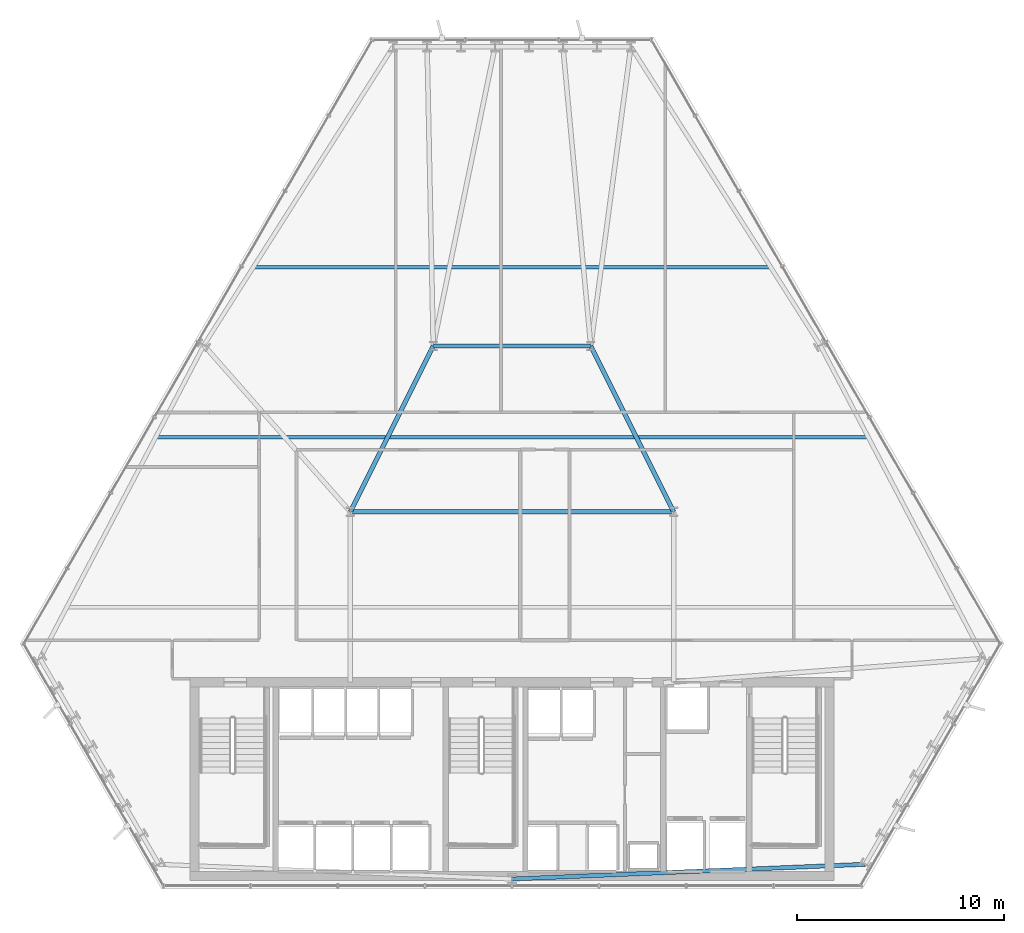
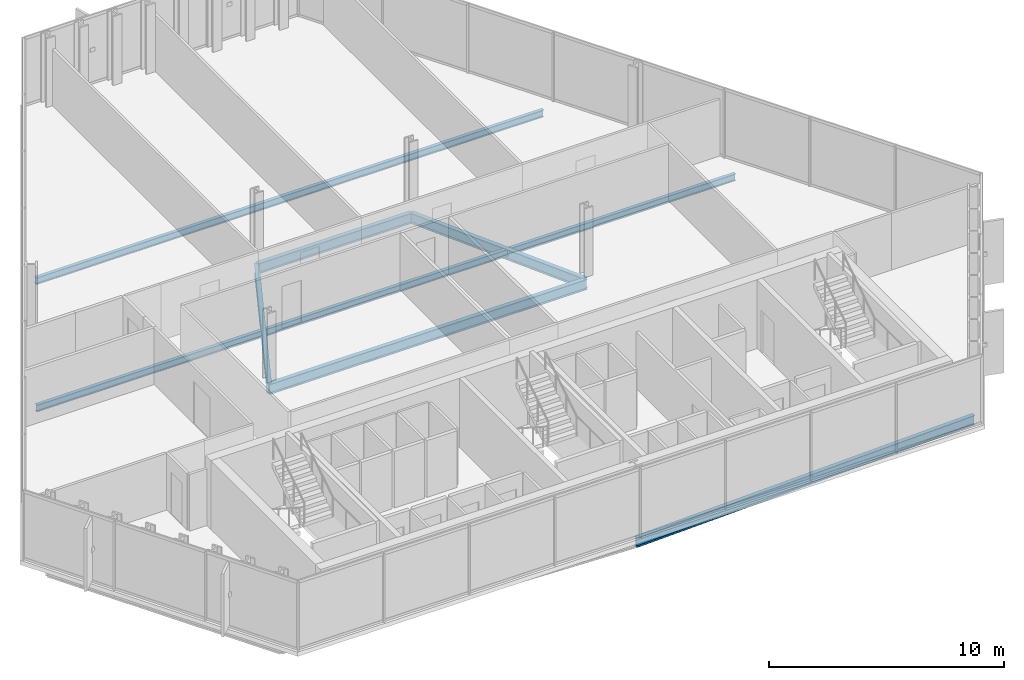
# One storey, part 14 of 31: 7 beams.
"""IFC4 building model written with IfcOpenShell, lengths in metres."""

from ifc_helpers import new_model, si_unit, direction, frame, origin, origin_2d, place, context, subcontext, project, spatial, i_section, extrude, material, material_profile, profile_set, type_object, element, save


model = new_model("IFC4")

# Units and contexts
model_context = context("Model", 3, precision=1e-05, world=origin(), true_north=direction((0.0, 1.0)))
body_context = subcontext(model_context, "Body", "Model", "MODEL_VIEW")
ifc_project = project(units=[si_unit("LENGTHUNIT", "METRE"), si_unit("AREAUNIT", "SQUARE_METRE"), si_unit("VOLUMEUNIT", "CUBIC_METRE"), si_unit("PLANEANGLEUNIT", "RADIAN"), si_unit("MASSUNIT", "GRAM", prefix="KILO")], contexts=[model_context])

# Site, building, storey
site_placement = place(None, origin())
site = spatial("IfcSite", under=ifc_project, at=site_placement, CompositionType="ELEMENT")
building_placement = place(site_placement, origin())
building = spatial("IfcBuilding", under=site, at=building_placement, Name="Ndaravel Arena Tower", CompositionType="ELEMENT")
storey_placement = place(building_placement, frame((0.0, 0.0, 104.39990234375)))
storey = spatial("IfcBuildingStorey", under=building, at=storey_placement, Name="L24", CompositionType="ELEMENT", Elevation=104.39990234375)

# Beams
ifc_material_1 = material(Name="Steel S355", Category="steel")
ifc_material_profile_1 = material_profile(ifc_material_1, i_section(OverallWidth=0.210693359375, OverallDepth=0.53955078125, WebThickness=0.01171875, FlangeThickness=0.018798828125, FilletRadius=0.0126953125, at=origin_2d()), Name="UB 533x210x109")
ifc_profile_set_1 = profile_set([ifc_material_profile_1], Name="Steel S355")
beam_type_1 = type_object("IfcBeamType", Name="BM-GIRD-UB533", PredefinedType="BEAM", material=ifc_profile_set_1)
beam_1_placement = place(storey_placement, frame((34.199951171875, 23.199951171875, -0.489501953125), z_axis=(1.0, 0.0, 0.0), x_axis=(0.0, 1.0, 0.0)))
element("IfcBeam", 1, at=beam_1_placement, inside=storey, type_object=beam_type_1, Name="L24 Spine Link Girder SLG-03", PredefinedType="BEAM", context=body_context, shape_type="SweptSolid", body=[
    extrude(i_section(OverallWidth=0.210693359375, OverallDepth=0.53955078125, WebThickness=0.01171875, FlangeThickness=0.018798828125, FilletRadius=0.0126953125, at=origin_2d()), origin(), (0.0, 0.0, 1.0), 15.60009765625),
])
for number, where, z_axis, x_axis, name in (
    (2, (34.199951171875, 23.199951171875, -0.489501953125), (0.4472135955, 0.894427191, 0.0), (-0.894427191, 0.4472135955, 0.0), "L24 Spine Link Girder SLG-04"),
    (3, (49.800048828125, 23.199951171875, -0.489501953125), (-0.4472135955, 0.894427191, 0.0), (-0.894427191, -0.4472135955, 0.0), "L24 Spine Link Girder SLG-05"),
):
    element("IfcBeam", number, at=place(storey_placement, frame(where, z_axis=z_axis, x_axis=x_axis)), inside=storey, type_object=beam_type_1, Name=name, PredefinedType="BEAM", context=body_context, shape_type="SweptSolid", body=[
        extrude(i_section(OverallWidth=0.210693359375, OverallDepth=0.53955078125, WebThickness=0.01171875, FlangeThickness=0.018798828125, FilletRadius=0.0126953125, at=origin_2d()), origin(), (0.0, 0.0, 1.0), 8.9443359375),
    ])
beam_2_placement = place(storey_placement, frame((38.199951171875, 31.199951171875, -0.489501953125), z_axis=(1.0, 0.0, 0.0), x_axis=(0.0, 1.0, 0.0)))
element("IfcBeam", 4, at=beam_2_placement, inside=storey, type_object=beam_type_1, Name="L24 Spine Link Girder SLG-06", PredefinedType="BEAM", context=body_context, shape_type="SweptSolid", body=[
    extrude(i_section(OverallWidth=0.210693359375, OverallDepth=0.53955078125, WebThickness=0.01171875, FlangeThickness=0.018798828125, FilletRadius=0.0126953125, at=origin_2d()), origin(), (0.0, 0.0, 1.0), 7.60009765625),
])
ifc_material_2 = material(Name="Steel S355", Category="steel")
ifc_material_profile_2 = material_profile(ifc_material_2, i_section(OverallWidth=0.169921875, OverallDepth=0.360107421875, WebThickness=0.008056640625, FlangeThickness=0.0126953125, FilletRadius=0.01806640625, at=origin_2d()), Name="IPE 360")
ifc_profile_set_2 = profile_set([ifc_material_profile_2], Name="Steel S355")
beam_type_2 = type_object("IfcBeamType", Name="BM-JOIST-IPE360", PredefinedType="JOIST", material=ifc_profile_set_2)
beam_3_placement = place(storey_placement, frame((24.807373046875, 26.800048828125, -0.39990234375), z_axis=(1.0, 0.0, 0.0), x_axis=(0.0, 1.0, 0.0)))
element("IfcBeam", 5, at=beam_3_placement, inside=storey, type_object=beam_type_2, Name="L24 Composite Floor Joist FJ-02", PredefinedType="JOIST", context=body_context, shape_type="SweptSolid", body=[
    extrude(i_section(OverallWidth=0.169921875, OverallDepth=0.360107421875, WebThickness=0.008056640625, FlangeThickness=0.0126953125, FilletRadius=0.01806640625, at=origin_2d()), origin(), (0.0, 0.0, 1.0), 34.38525390625),
])
beam_4_placement = place(storey_placement, frame((29.514892578125, 35.0, -0.39990234375), z_axis=(1.0, 0.0, 0.0), x_axis=(0.0, 1.0, 0.0)))
element("IfcBeam", 6, at=beam_4_placement, inside=storey, type_object=beam_type_2, Name="L24 Composite Floor Joist FJ-03", PredefinedType="JOIST", context=body_context, shape_type="SweptSolid", body=[
    extrude(i_section(OverallWidth=0.169921875, OverallDepth=0.360107421875, WebThickness=0.008056640625, FlangeThickness=0.0126953125, FilletRadius=0.01806640625, at=origin_2d()), origin(), (0.0, 0.0, 1.0), 24.97021484375),
])
ifc_material_3 = material(Name="Steel S355", Category="steel")
ifc_material_profile_3 = material_profile(ifc_material_3, i_section(OverallWidth=0.199951171875, OverallDepth=0.5, WebThickness=0.01025390625, FlangeThickness=0.01611328125, FilletRadius=0.02099609375, at=origin_2d()), Name="IPE 500")
ifc_profile_set_3 = profile_set([ifc_material_profile_3], Name="Steel S355")
beam_type_3 = type_object("IfcBeamType", Name="BM-SPAN-IPE500", PredefinedType="SPANDREL", material=ifc_profile_set_3)
beam_5_placement = place(storey_placement, frame((42.0, 5.47998046875, -0.469970703125), z_axis=(0.999134065017, 0.041606731707, 0.0), x_axis=(-0.041606731707, 0.999134065017, 0.0)))
element("IfcBeam", 7, at=beam_5_placement, inside=storey, type_object=beam_type_3, Name="L24 Perimeter Spandrel Beam SP-01", PredefinedType="SPANDREL", context=body_context, shape_type="SweptSolid", body=[
    extrude(i_section(OverallWidth=0.199951171875, OverallDepth=0.5, WebThickness=0.01025390625, FlangeThickness=0.01611328125, FilletRadius=0.02099609375, at=origin_2d()), origin(), (0.0, 0.0, 1.0), 17.057861328125),
])

save(model, "model.ifc")
